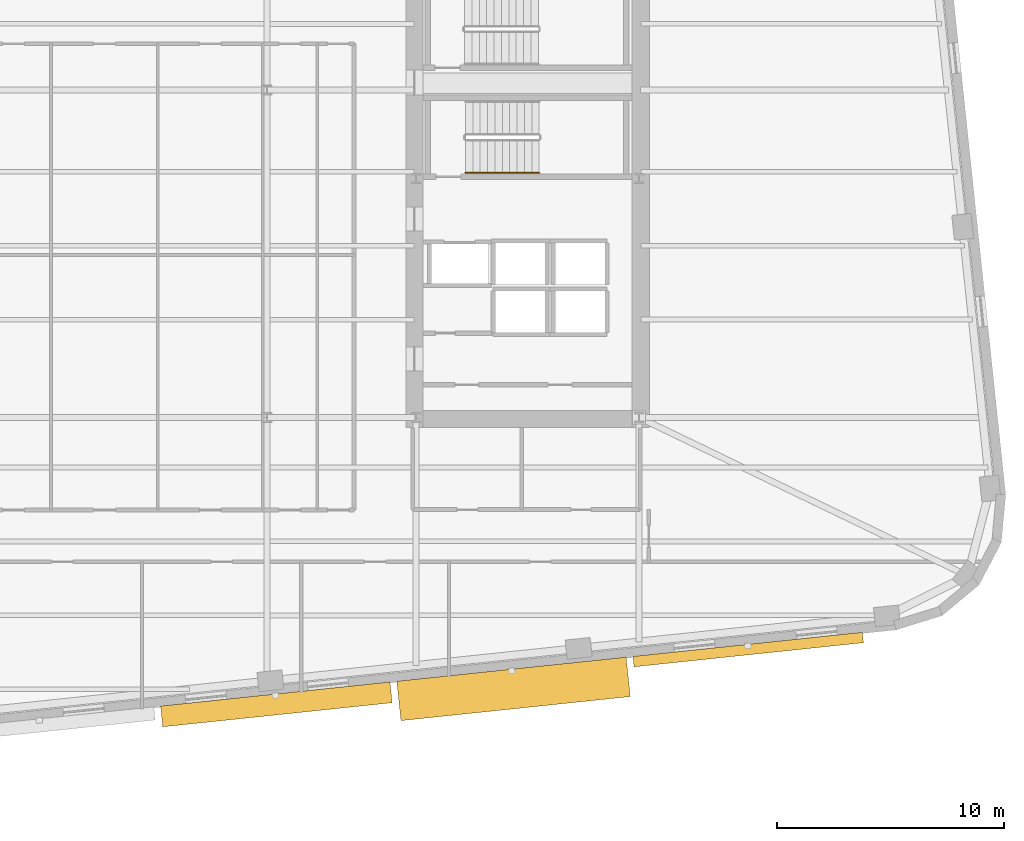
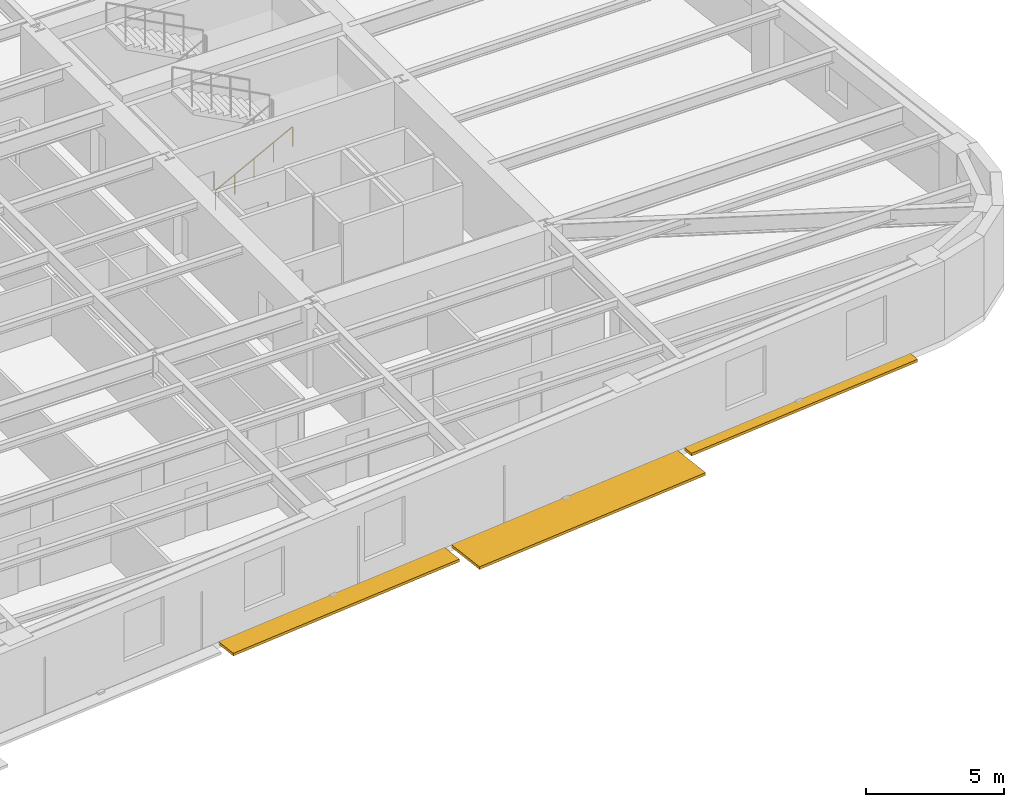
# One storey, part 10 of 13: 3 shading devices, 1 railing.
"""IFC4 building model written with IfcOpenShell, lengths in metres."""

from ifc_helpers import new_model, si_unit, direction, frame, origin, origin_2d, place, context, subcontext, project, spatial, rectangle, circle, extrude, material, type_object, element, save


model = new_model("IFC4")

# Units and contexts
model_context = context("Model", 3, precision=1e-05, world=origin(), true_north=direction((0.0, 1.0)))
body_context = subcontext(model_context, "Body", "Model", "MODEL_VIEW")
ifc_project = project(units=[si_unit("LENGTHUNIT", "METRE"), si_unit("AREAUNIT", "SQUARE_METRE"), si_unit("VOLUMEUNIT", "CUBIC_METRE"), si_unit("PLANEANGLEUNIT", "RADIAN"), si_unit("MASSUNIT", "GRAM", prefix="KILO")], contexts=[model_context])

# Site, building, storey
site_placement = place(None, origin())
site = spatial("IfcSite", under=ifc_project, at=site_placement, CompositionType="ELEMENT")
building_placement = place(site_placement, origin())
building = spatial("IfcBuilding", under=site, at=building_placement, Name="Kolvaren Arena Tower", CompositionType="ELEMENT")
storey_placement = place(building_placement, frame((0.0, 0.0, 145.75)))
storey = spatial("IfcBuildingStorey", under=building, at=storey_placement, Name="L34", CompositionType="ELEMENT", Elevation=145.75)

# Railing
ifc_material_1 = material(Name="Brushed stainless steel handrail", Category="steel")
railing_type = type_object("IfcRailingType", Name="HRAIL-900", PredefinedType="HANDRAIL", material=ifc_material_1)
railing_placement = place(storey_placement, frame((52.719970703125, 30.199951171875, 0.17041015625)))
element("IfcRailing", 1, at=railing_placement, inside=storey, type_object=railing_type, Name="L34 ST-E1 stair handrail 1", PredefinedType="HANDRAIL", context=body_context, shape_type="SweptSolid", body=[
    extrude(circle(Radius=0.02392578125, at=origin_2d()), frame((0.0, 0.0, 0.8759765625), z_axis=(0.884993431791, 0.0, 0.465603506952), x_axis=(0.0, 1.0, 0.0)), (0.0, 0.0, 1.0), 3.6611328125),
    extrude(circle(Radius=0.02099609375, at=origin_2d()), origin(), (0.0, 0.0, 1.0), 0.851806640625),
    extrude(circle(Radius=0.02099609375, at=origin_2d()), frame((0.81005859375, 0.0, 0.42626953125)), (0.0, 0.0, 1.0), 0.851806640625),
    extrude(circle(Radius=0.02099609375, at=origin_2d()), frame((1.6201171875, 0.0, 0.852294921875)), (0.0, 0.0, 1.0), 0.851806640625),
    extrude(circle(Radius=0.02099609375, at=origin_2d()), frame((2.429931640625, 0.0, 1.2783203125)), (0.0, 0.0, 1.0), 0.851806640625),
    extrude(circle(Radius=0.02099609375, at=origin_2d()), frame((3.239990234375, 0.0, 1.70458984375)), (0.0, 0.0, 1.0), 0.851806640625),
])

# Shading devices
ifc_material_2 = material(Name="Architectural precast GFRC and anodised aluminium sunshade", Category="concrete")
shading_device_type_1 = type_object("IfcShadingDeviceType", Name="SHAD-SINE-A", PredefinedType="USERDEFINED", material=ifc_material_2)
shading_device_1_placement = place(storey_placement, frame((65.148193359375, 9.2451171875, -0.14013671875), z_axis=(0.0, 0.0, 1.0), x_axis=(-0.994522077803, -0.104526727499, 0.0)))
element("IfcShadingDevice", 2, at=shading_device_1_placement, inside=storey, type_object=shading_device_type_1, Name="Sinusoidal Slab-Edge Sunshade Louvre (L34)", ObjectType="LOUVRE", PredefinedType="USERDEFINED", context=body_context, shape_type="SweptSolid", body=[
    extrude(rectangle(XDim=10.139892578125, YDim=0.461181640625, at=origin_2d()), origin(), (0.0, 0.0, 1.0), 0.1201171875),
])
shading_device_2_placement = place(storey_placement, frame((44.406494140625, 6.834716796875, -0.14013671875), z_axis=(0.0, 0.0, 1.0), x_axis=(-0.994522077803, -0.104526727499, 0.0)))
element("IfcShadingDevice", 3, at=shading_device_2_placement, inside=storey, type_object=shading_device_type_1, Name="Sinusoidal Slab-Edge Sunshade Louvre (L34)", ObjectType="LOUVRE", PredefinedType="USERDEFINED", context=body_context, shape_type="SweptSolid", body=[
    extrude(rectangle(XDim=10.139892578125, YDim=0.919677734375, at=origin_2d()), origin(), (0.0, 0.0, 1.0), 0.1201171875),
])
shading_device_type_2 = type_object("IfcShadingDeviceType", Name="SHAD-SINE-B", PredefinedType="JALOUSIE", material=ifc_material_2)
shading_device_3_placement = place(storey_placement, frame((54.83251953125, 7.51611328125, -0.14013671875), z_axis=(0.0, 0.0, 1.0), x_axis=(-0.994522077803, -0.104526727499, 0.0)))
element("IfcShadingDevice", 4, at=shading_device_3_placement, inside=storey, type_object=shading_device_type_2, Name="Sinusoidal Slab-Edge Sunshade Louvre (L34)", PredefinedType="JALOUSIE", context=body_context, shape_type="SweptSolid", body=[
    extrude(rectangle(XDim=10.139892578125, YDim=1.74365234375, at=origin_2d()), origin(), (0.0, 0.0, 1.0), 0.1201171875),
])

save(model, "model.ifc")
